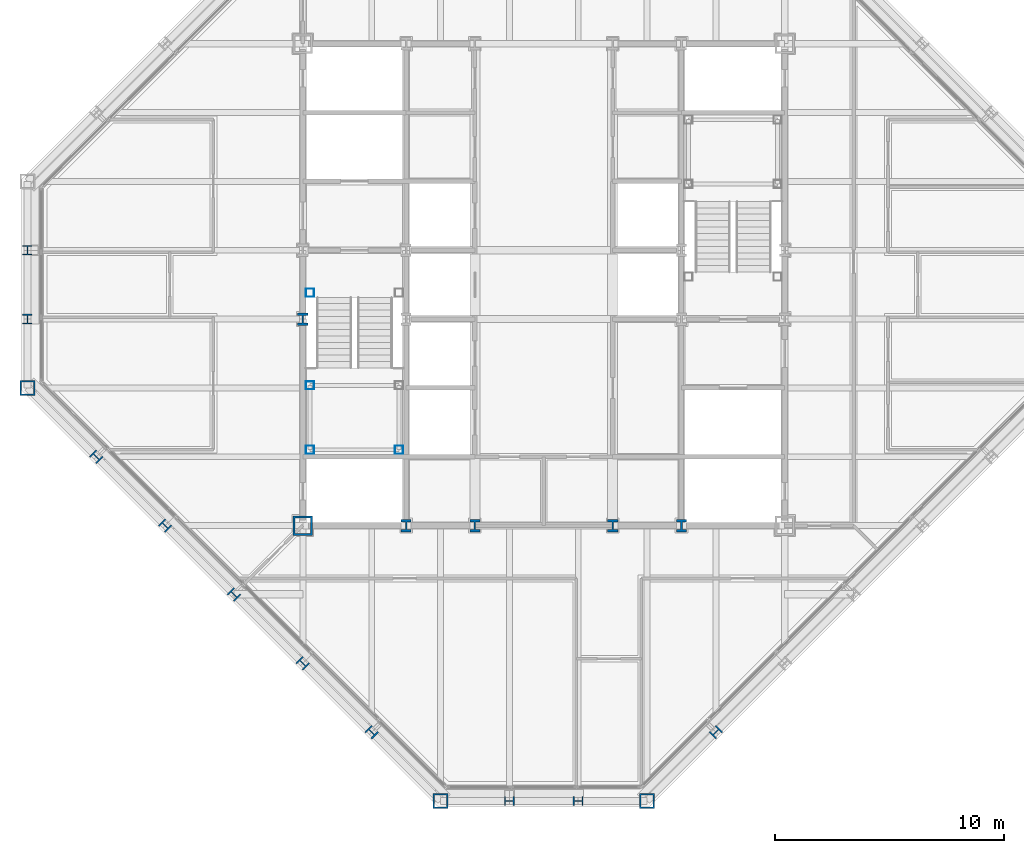
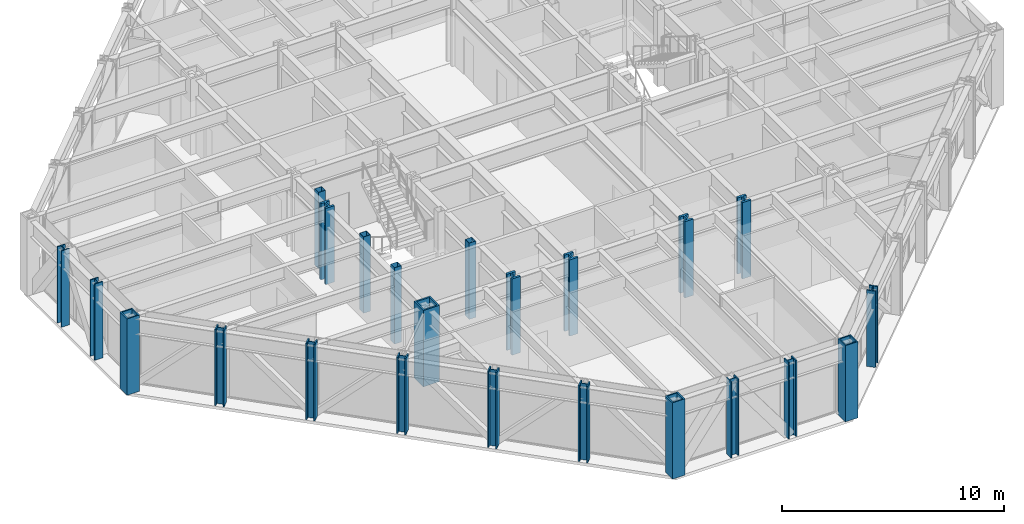
# One storey, part 1 of 15: 23 columns.
"""IFC4 building model written with IfcOpenShell, lengths in metres."""

from ifc_helpers import new_model, si_unit, direction, frame, origin, origin_2d, place, context, subcontext, project, spatial, hollow_rectangle, i_section, extrude, material, material_profile, profile_set, type_object, element, save


model = new_model("IFC4")

# Units and contexts
model_context = context("Model", 3, precision=1e-05, world=origin(), true_north=direction((0.0, 1.0)))
body_context = subcontext(model_context, "Body", "Model", "MODEL_VIEW")
ifc_project = project(units=[si_unit("LENGTHUNIT", "METRE"), si_unit("AREAUNIT", "SQUARE_METRE"), si_unit("VOLUMEUNIT", "CUBIC_METRE"), si_unit("PLANEANGLEUNIT", "RADIAN"), si_unit("MASSUNIT", "GRAM", prefix="KILO")], contexts=[model_context])

# Site, building, storey
site_placement = place(None, origin())
site = spatial("IfcSite", under=ifc_project, at=site_placement, CompositionType="ELEMENT")
building_placement = place(site_placement, origin())
building = spatial("IfcBuilding", under=site, at=building_placement, Name="Chuquiago Exchange Tower", CompositionType="ELEMENT")
storey_placement = place(building_placement, frame((0.0, 0.0, 279.0)))
storey = spatial("IfcBuildingStorey", under=building, at=storey_placement, Name="L62", CompositionType="ELEMENT", Elevation=279.0)

# Columns
ifc_material_1 = material(Name="Steel ASTM A992", Category="steel")
ifc_material_profile_1 = material_profile(ifc_material_1, i_section(OverallWidth=0.411376953125, OverallDepth=0.434326171875, WebThickness=0.035888671875, FlangeThickness=0.057373046875, at=origin_2d()), Name="W14X311")
ifc_profile_set_1 = profile_set([ifc_material_profile_1], Name="Steel ASTM A992")
column_type_1 = type_object("IfcColumnType", Name="C5 W14X311", PredefinedType="COLUMN", material=ifc_profile_set_1)
for number, where, z_axis, x_axis, name in (
    (1, (21.0, 0.0, 0.0), (0.0, 0.0, 1.0), (0.0, -1.0, 0.0), "COL-L62-21_0"),
    (2, (24.0, 0.0, 0.0), (0.0, 0.0, 1.0), (0.0, -1.0, 0.0), "COL-L62-24_0"),
    (3, (0.0, 24.0, 0.0), (0.0, 0.0, 1.0), (-1.0, 0.0, 0.0), "COL-L62-0_24"),
    (4, (0.0, 21.0, 0.0), (0.0, 0.0, 1.0), (-1.0, 0.0, 0.0), "COL-L62-0_21"),
):
    element("IfcColumn", number, at=place(storey_placement, frame(where, z_axis=z_axis, x_axis=x_axis)), inside=storey, type_object=column_type_1, Name=name, PredefinedType="COLUMN", context=body_context, shape_type="SweptSolid", body=[
        extrude(i_section(OverallWidth=0.411376953125, OverallDepth=0.434326171875, WebThickness=0.035888671875, FlangeThickness=0.057373046875, at=origin_2d()), origin(), (0.0, 0.0, 1.0), 4.199951171875),
    ])
ifc_material_2 = material(Name="Steel ASTM A992", Category="steel")
ifc_material_profile_2 = material_profile(ifc_material_2, i_section(OverallWidth=0.449462890625, OverallDepth=0.548583984375, WebThickness=0.07177734375, FlangeThickness=0.11474609375, at=origin_2d()), Name="W14X665")
ifc_profile_set_2 = profile_set([ifc_material_profile_2], Name="Steel ASTM A992")
column_type_2 = type_object("IfcColumnType", Name="CC5 W14X665", PredefinedType="COLUMN", material=ifc_profile_set_2)
for number, where, z_axis, x_axis, name in (
    (5, (16.5, 12.0, 0.0), (0.0, 0.0, 1.0), (1.0, 0.0, 0.0), "CCOL-L62-16.5_12"),
    (6, (19.5, 12.0, 0.0), (0.0, 0.0, 1.0), (1.0, 0.0, 0.0), "CCOL-L62-19.5_12"),
    (7, (25.5, 12.0, 0.0), (0.0, 0.0, 1.0), (1.0, 0.0, 0.0), "CCOL-L62-25.5_12"),
    (8, (28.5, 12.0, 0.0), (0.0, 0.0, 1.0), (1.0, 0.0, 0.0), "CCOL-L62-28.5_12"),
    (9, (12.0, 21.0, 0.0), (0.0, 0.0, 1.0), (1.0, 0.0, 0.0), "CCOL-L62-12_21"),
):
    element("IfcColumn", number, at=place(storey_placement, frame(where, z_axis=z_axis, x_axis=x_axis)), inside=storey, type_object=column_type_2, Name=name, PredefinedType="COLUMN", context=body_context, shape_type="SweptSolid", body=[
        extrude(i_section(OverallWidth=0.449462890625, OverallDepth=0.548583984375, WebThickness=0.07177734375, FlangeThickness=0.11474609375, at=origin_2d()), origin(), (0.0, 0.0, 1.0), 4.199951171875),
    ])
ifc_material_3 = material(Name="Steel ASTM A572 Grade 50", Category="steel")
ifc_material_profile_3 = material_profile(ifc_material_3, hollow_rectangle(XDim=0.85009765625, YDim=0.85009765625, WallThickness=0.0849609375, at=origin_2d()), Name="BOX850X850X85")
ifc_profile_set_3 = profile_set([ifc_material_profile_3], Name="Steel ASTM A572 Grade 50")
column_type_3 = type_object("IfcColumnType", Name="CC6 BOX850X850X85", PredefinedType="COLUMN", material=ifc_profile_set_3)
column_placement = place(storey_placement, frame((12.0, 12.0, 0.0), z_axis=(0.0, 0.0, 1.0), x_axis=(1.0, 0.0, 0.0)))
element("IfcColumn", 10, at=column_placement, inside=storey, type_object=column_type_3, Name="CCOL-L62-12_12", PredefinedType="COLUMN", context=body_context, shape_type="SweptSolid", body=[
    extrude(hollow_rectangle(XDim=0.85009765625, YDim=0.85009765625, WallThickness=0.0849609375, at=origin_2d()), origin(), (0.0, 0.0, 1.0), 4.199951171875),
])
ifc_material_4 = material(Name="Steel ASTM A992", Category="steel")
ifc_material_profile_4 = material_profile(ifc_material_4, i_section(OverallWidth=0.41650390625, OverallDepth=0.444580078125, WebThickness=0.0390625, FlangeThickness=0.062744140625, at=origin_2d()), Name="W14X342")
ifc_profile_set_4 = profile_set([ifc_material_profile_4], Name="Steel ASTM A992")
column_type_4 = type_object("IfcColumnType", Name="CK5 W14X342", PredefinedType="COLUMN", material=ifc_profile_set_4)
for number, where, z_axis, x_axis, name in (
    (11, (30.0, 3.0, 0.0), (0.0, 0.0, 1.0), (0.707106781187, -0.707106781187, 0.0), "COL-L62-30_3"),
    (12, (3.0, 15.0, 0.0), (0.0, 0.0, 1.0), (-0.707106781187, -0.707106781187, 0.0), "COL-L62-3_15"),
    (13, (6.0, 12.0, 0.0), (0.0, 0.0, 1.0), (-0.707106781187, -0.707106781187, 0.0), "COL-L62-6_12"),
    (14, (9.0, 9.0, 0.0), (0.0, 0.0, 1.0), (-0.707106781187, -0.707106781187, 0.0), "COL-L62-9_9"),
    (15, (12.0, 6.0, 0.0), (0.0, 0.0, 1.0), (-0.707106781187, -0.707106781187, 0.0), "COL-L62-12_6"),
    (16, (15.0, 3.0, 0.0), (0.0, 0.0, 1.0), (-0.707106781187, -0.707106781187, 0.0), "COL-L62-15_3"),
):
    element("IfcColumn", number, at=place(storey_placement, frame(where, z_axis=z_axis, x_axis=x_axis)), inside=storey, type_object=column_type_4, Name=name, PredefinedType="COLUMN", context=body_context, shape_type="SweptSolid", body=[
        extrude(i_section(OverallWidth=0.41650390625, OverallDepth=0.444580078125, WebThickness=0.0390625, FlangeThickness=0.062744140625, at=origin_2d()), origin(), (0.0, 0.0, 1.0), 4.199951171875),
    ])
ifc_material_5 = material(Name="Steel ASTM A572 Grade 50", Category="steel")
ifc_material_profile_5 = material_profile(ifc_material_5, hollow_rectangle(XDim=0.64990234375, YDim=0.64990234375, WallThickness=0.06494140625, at=origin_2d()), Name="BOX650X650X65")
ifc_profile_set_5 = profile_set([ifc_material_profile_5], Name="Steel ASTM A572 Grade 50")
column_type_5 = type_object("IfcColumnType", Name="CN2 BOX650X650X65", PredefinedType="COLUMN", material=ifc_profile_set_5)
for number, where, z_axis, x_axis, name in (
    (17, (18.0, 0.0, 0.0), (0.0, 0.0, 1.0), (0.0, -1.0, 0.0), "COL-L62-18_0"),
    (18, (27.0, 0.0, 0.0), (0.0, 0.0, 1.0), (0.0, -1.0, 0.0), "COL-L62-27_0"),
    (19, (0.0, 18.0, 0.0), (0.0, 0.0, 1.0), (-1.0, 0.0, 0.0), "COL-L62-0_18"),
):
    element("IfcColumn", number, at=place(storey_placement, frame(where, z_axis=z_axis, x_axis=x_axis)), inside=storey, type_object=column_type_5, Name=name, PredefinedType="COLUMN", context=body_context, shape_type="SweptSolid", body=[
        extrude(hollow_rectangle(XDim=0.64990234375, YDim=0.64990234375, WallThickness=0.06494140625, at=origin_2d()), origin(), (0.0, 0.0, 1.0), 4.199951171875),
    ])
ifc_material_6 = material(Name="Steel ASTM A500 Grade C", Category="steel")
ifc_material_profile_6 = material_profile(ifc_material_6, hollow_rectangle(XDim=0.355712890625, YDim=0.355712890625, WallThickness=0.0087890625, at=origin_2d()), Name="HSS14X14X3/8")
ifc_profile_set_6 = profile_set([ifc_material_profile_6], Name="Steel ASTM A500 Grade C")
column_type_6 = type_object("IfcColumnType", Name="PT1 HSS14X14X3/8", PredefinedType="COLUMN", material=ifc_profile_set_6)
for number, where, z_axis, x_axis, name in (
    (20, (12.31005859375, 15.31005859375, 0.0), (0.0, 0.0, 1.0), (1.0, 0.0, 0.0), "Stair ST1 L62 landing post"),
    (21, (16.18994140625, 15.31005859375, 0.0), (0.0, 0.0, 1.0), (1.0, 0.0, 0.0), "Stair ST1 L62 landing post"),
    (22, (12.31005859375, 18.110107421875, 0.0), (0.0, 0.0, 1.0), (1.0, 0.0, 0.0), "Stair ST1 L62 landing post"),
    (23, (12.31005859375, 22.14990234375, 0.0), (0.0, 0.0, 1.0), (1.0, 0.0, 0.0), "Stair ST1 L62 landing post"),
):
    element("IfcColumn", number, at=place(storey_placement, frame(where, z_axis=z_axis, x_axis=x_axis)), inside=storey, type_object=column_type_6, Name=name, PredefinedType="COLUMN", context=body_context, shape_type="SweptSolid", body=[
        extrude(hollow_rectangle(XDim=0.355712890625, YDim=0.355712890625, WallThickness=0.0087890625, at=origin_2d()), origin(), (0.0, 0.0, 1.0), 4.199951171875),
    ])

save(model, "model.ifc")
